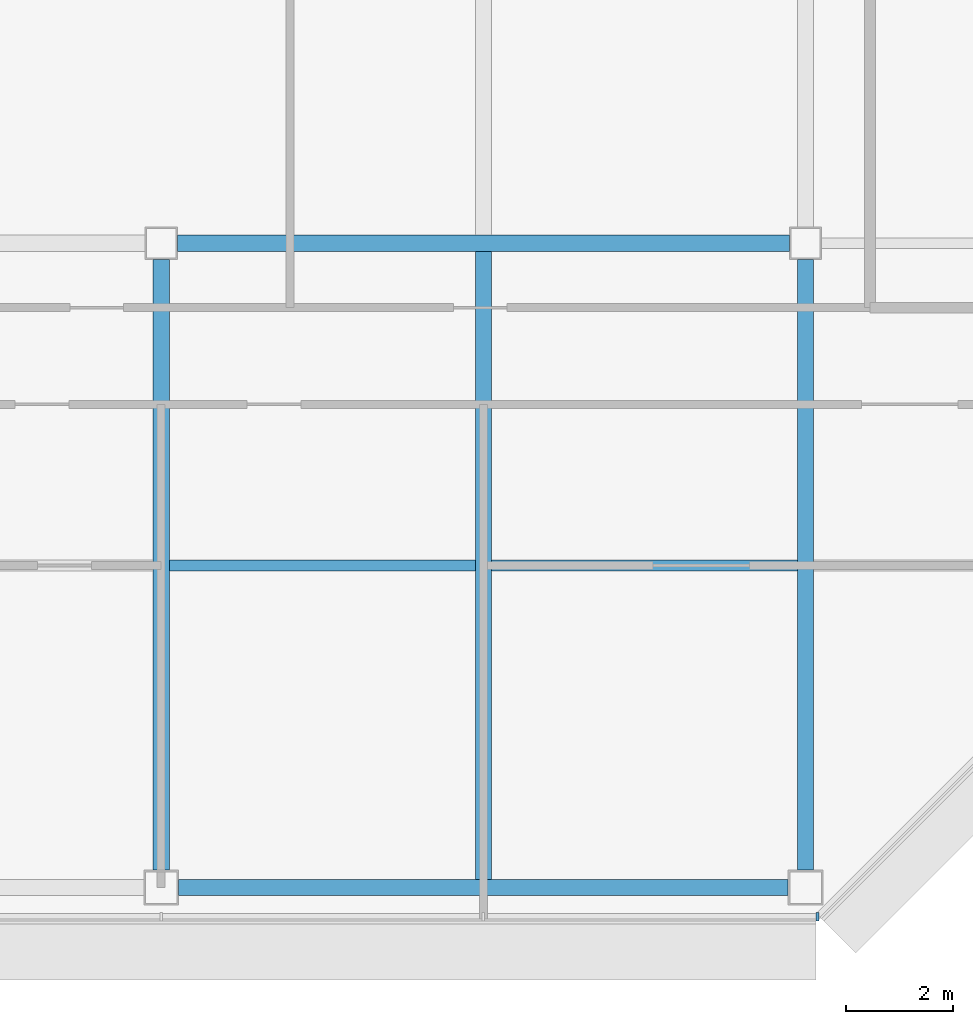
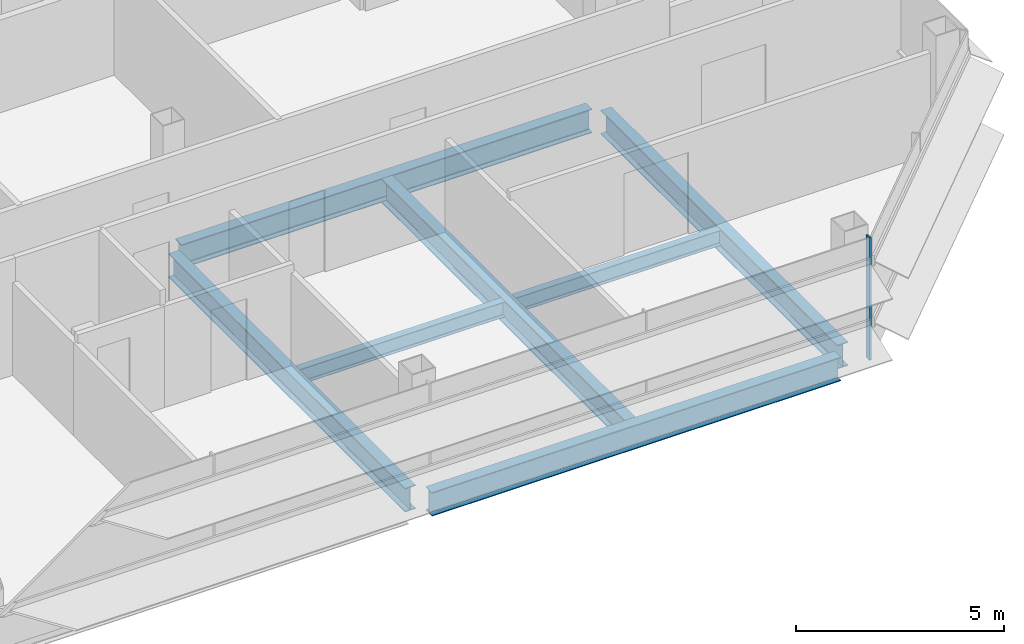
# One storey, part 9 of 27: 7 beams, 1 member, 1 element without a shape of its own.
"""IFC4 building model written with IfcOpenShell, lengths in metres."""

import ifcopenshell
import ifcopenshell.guid

model = None  # the IFC model being written
_history = None  # IfcOwnerHistory: only IFC2X3 demands one
_inside = {}  # id of a spatial element -> (the spatial element, [elements in it])
_under = {}  # id of a project, library or spatial element -> (it, [spatial elements below it])
_declared = {}  # id of a project -> (the project, [libraries it declares])
_typed = {}  # id of a type object -> (the type object, [elements of that type])
_made_of = {}  # id of a material, layer set ... -> (it, [elements and type objects made of it])


def new_model(schema):
    """Start an empty IFC model of exactly this schema.

    Asked for "IFC4X3", IfcOpenShell would pick the latest addendum, in which some entities
    have other attributes; the version numbers below select the first issue.
    IFC2X3 requires an IfcOwnerHistory on every rooted entity: one is made here for all.
    """
    global model, _history
    if schema == "IFC4X3":
        model = ifcopenshell.file(schema_version=(4, 3, 0, 0))
    else:
        model = ifcopenshell.file(schema=schema)
    _inside.clear()
    _under.clear()
    _declared.clear()
    _typed.clear()
    _made_of.clear()
    _history = None
    if model.schema == "IFC2X3":
        org = make("IfcOrganization", Name="unknown")
        user = make(
            "IfcPersonAndOrganization",
            ThePerson=make("IfcPerson", FamilyName="unknown"),
            TheOrganization=org,
        )
        app = make(
            "IfcApplication",
            ApplicationDeveloper=org,
            Version="unknown",
            ApplicationFullName="unknown",
            ApplicationIdentifier="unknown",
        )
        _history = make(
            "IfcOwnerHistory",
            OwningUser=user,
            OwningApplication=app,
            ChangeAction="ADDED",
            CreationDate=0,
        )
    return model


def make(cls, **values):
    """One entity of the class cls with the attributes given. An attribute that is None is left unset."""
    return model.create_entity(
        cls, **{name: value for name, value in values.items() if value is not None}
    )


def rooted(cls, **values):
    """An entity with a GlobalId (a new one), such as an element, a storey or a relation."""
    return make(cls, GlobalId=ifcopenshell.guid.new(), OwnerHistory=_history, **values)


def si_unit(unit_type, name, prefix=None):
    """IfcSIUnit, for example si_unit("LENGTHUNIT", "METRE", prefix="MILLI")."""
    return make("IfcSIUnit", UnitType=unit_type, Prefix=prefix, Name=name)


def assignment(units):
    """IfcUnitAssignment: the units of a project."""
    return None if units is None else make("IfcUnitAssignment", Units=units)


def point(xyz):
    """IfcCartesianPoint."""
    return None if xyz is None else make("IfcCartesianPoint", Coordinates=xyz)


def direction(xyz):
    """IfcDirection."""
    return None if xyz is None else make("IfcDirection", DirectionRatios=xyz)


def frame(location, z_axis=None, x_axis=None):
    """IfcAxis2Placement3D, a coordinate frame: its origin and axes. An axis left out is left unset."""
    return make(
        "IfcAxis2Placement3D",
        Location=point(location),
        Axis=direction(z_axis),
        RefDirection=direction(x_axis),
    )


def frame_2d(location, x_axis=None):
    """IfcAxis2Placement2D, a coordinate frame in the plane: its origin and x axis."""
    return make(
        "IfcAxis2Placement2D", Location=point(location), RefDirection=direction(x_axis)
    )


def origin():
    """The frame at (0, 0, 0) with its axes left unset."""
    return frame((0.0, 0.0, 0.0))


def origin_2d():
    """The frame at (0, 0) in the plane with its x axis left unset."""
    return frame_2d((0.0, 0.0))


def place(relative_to, where):
    """IfcLocalPlacement: puts the frame where relative to a parent placement (None: the world)."""
    return make(
        "IfcLocalPlacement", PlacementRelTo=relative_to, RelativePlacement=where
    )


def context(
    kind, dimensions, precision=None, world=None, true_north=None, identifier=None
):
    """IfcGeometricRepresentationContext, for example the 3D "Model" context."""
    return make(
        "IfcGeometricRepresentationContext",
        ContextIdentifier=identifier,
        ContextType=kind,
        CoordinateSpaceDimension=dimensions,
        Precision=precision,
        WorldCoordinateSystem=world,
        TrueNorth=true_north,
    )


def subcontext(parent, identifier, kind, view, scale=None):
    """IfcGeometricRepresentationSubContext, for example "Body" below "Model"."""
    return make(
        "IfcGeometricRepresentationSubContext",
        ContextIdentifier=identifier,
        ContextType=kind,
        ParentContext=parent,
        TargetScale=scale,
        TargetView=view,
    )


def project(units=None, contexts=None):
    """IfcProject with its units and contexts."""
    return rooted(
        "IfcProject",
        Name="project",
        RepresentationContexts=contexts,
        UnitsInContext=assignment(units),
    )


def spatial(cls, under=None, at=None, **own):
    """A site, building, storey or space (cls), placed at a placement, below another one or the project."""
    s = rooted(cls, ObjectPlacement=at, **own)
    if under is not None:
        _under.setdefault(under.id(), (under, []))[1].append(s)
    return s


def profile(cls, at=None, kind="AREA", **sizes):
    """A parametric profile (cls). Its sizes go by their IFC names, for example OverallWidth=200.0."""
    return make(cls, ProfileType=kind, Position=at, **sizes)


def rectangle(**sizes):
    """IfcRectangleProfileDef."""
    return profile("IfcRectangleProfileDef", **sizes)


def i_section(**sizes):
    """IfcIShapeProfileDef."""
    return profile("IfcIShapeProfileDef", **sizes)


def extrude(swept, where, along, depth):
    """IfcExtrudedAreaSolid: the profile swept, set in the frame where, extruded along a direction by depth."""
    return make(
        "IfcExtrudedAreaSolid",
        SweptArea=swept,
        Position=where,
        ExtrudedDirection=direction(along),
        Depth=depth,
    )


def shape(context_of_items, identifier, shape_type, items):
    """IfcShapeRepresentation: the items that make up one representation, for example the "Body"."""
    return make(
        "IfcShapeRepresentation",
        ContextOfItems=context_of_items,
        RepresentationIdentifier=identifier,
        RepresentationType=shape_type,
        Items=items,
    )


def material(Name=None, Category=None):
    """IfcMaterial."""
    return make("IfcMaterial", Name=Name, Category=Category)


def material_profile(
    of_material, cross_section, Name=None, Category=None, Priority=None
):
    """IfcMaterialProfile: a cross section and its material."""
    return make(
        "IfcMaterialProfile",
        Name=Name,
        Material=of_material,
        Profile=cross_section,
        Priority=Priority,
        Category=Category,
    )


def profile_set(profiles, Name=None, composite=None):
    """IfcMaterialProfileSet."""
    return make(
        "IfcMaterialProfileSet",
        Name=Name,
        MaterialProfiles=profiles,
        CompositeProfile=composite,
    )


def made_of(thing, what):
    """Note that an element or type object is made of a material, layer set ...; save() writes the relation."""
    if what is not None:
        _made_of.setdefault(what.id(), (what, []))[1].append(thing)
    return thing


def type_object(cls, material=None, **own):
    """A type object (cls), such as IfcWallType, which elements share."""
    return made_of(rooted(cls, **own), material)


def element(
    cls,
    number,
    at=None,
    inside=None,
    cuts=None,
    type_object=None,
    material=None,
    context=None,
    identifier="Body",
    shape_type=None,
    held_by="IfcProductDefinitionShape",
    body=None,
    shapes=None,
    **own,
):
    """One element of the class cls, such as IfcWall. Its Tag is "e" and its number.

    at: its placement. inside: the storey or other place that contains it. cuts: it is an
    opening in that element (IfcRelVoidsElement). A single representation is given by context,
    identifier, shape_type and body (its items); several are given by shapes. held_by: the class
    of the entity that holds the representations. save() writes the other relations.
    """
    e = rooted(cls, Tag="e%d" % number, ObjectPlacement=at, **own)
    if body is not None:
        shapes = [shape(context, identifier, shape_type, body)]
    if shapes is not None:
        e.Representation = make(held_by, Representations=shapes)
    if inside is not None:
        _inside.setdefault(inside.id(), (inside, []))[1].append(e)
    if cuts is not None:
        rooted(
            "IfcRelVoidsElement", RelatingBuildingElement=cuts, RelatedOpeningElement=e
        )
    if type_object is not None:
        _typed.setdefault(type_object.id(), (type_object, []))[1].append(e)
    return made_of(e, material)


def aggregate(whole, parts):
    """IfcRelAggregates: a whole, such as a stair, and the parts it consists of."""
    return rooted("IfcRelAggregates", RelatingObject=whole, RelatedObjects=parts)


def save(model, path):
    """Write the relations noted so far, then the file.

    IfcRelAggregates (storeys below a building ...), IfcRelContainedInSpatialStructure (elements
    in a storey), IfcRelDefinesByType, IfcRelAssociatesMaterial and IfcRelDeclares: one each for
    every whole, place, type object, material and project.
    """
    for whole, parts in _under.values():
        aggregate(whole, parts)
    for where, things in _inside.values():
        rooted(
            "IfcRelContainedInSpatialStructure",
            RelatedElements=things,
            RelatingStructure=where,
        )
    for kind, things in _typed.values():
        rooted("IfcRelDefinesByType", RelatedObjects=things, RelatingType=kind)
    for what, things in _made_of.values():
        rooted("IfcRelAssociatesMaterial", RelatedObjects=things, RelatingMaterial=what)
    for by, libraries in _declared.values():
        rooted("IfcRelDeclares", RelatingContext=by, RelatedDefinitions=libraries)
    model.write(path)


model = new_model("IFC4")

# Units and contexts
model_context = context("Model", 3, precision=1e-05, world=origin(), true_north=direction((0.0, 1.0)))
body_context = subcontext(model_context, "Body", "Model", "MODEL_VIEW")
ifc_project = project(units=[si_unit("LENGTHUNIT", "METRE"), si_unit("AREAUNIT", "SQUARE_METRE"), si_unit("VOLUMEUNIT", "CUBIC_METRE"), si_unit("PLANEANGLEUNIT", "RADIAN"), si_unit("MASSUNIT", "GRAM", prefix="KILO")], contexts=[model_context])

# Site, building, storey
site_placement = place(None, origin())
site = spatial("IfcSite", under=ifc_project, at=site_placement, CompositionType="ELEMENT")
building_placement = place(site_placement, origin())
building = spatial("IfcBuilding", under=site, at=building_placement, Name="Sorahane Residences", CompositionType="ELEMENT")
storey_placement = place(building_placement, frame((0.0, 0.0, 226.199951171875)))
storey = spatial("IfcBuildingStorey", under=building, at=storey_placement, Name="L53", CompositionType="ELEMENT", Elevation=226.199951171875)

# Curtain wall, member
ifc_material_1 = material(Name="Dark low-e glass and black anodised aluminium", Category="aluminium")
curtain_wall_type = type_object("IfcCurtainWallType", Name="Curtain wall CW-1 Typical unitised wall", PredefinedType="NOTDEFINED", material=ifc_material_1)
curtain_wall_placement = place(storey_placement, origin())
curtain_wall = element("IfcCurtainWall", 1, at=curtain_wall_placement, inside=storey, type_object=curtain_wall_type, Name="CW-1 curtain wall L53 S1", PredefinedType="NOTDEFINED")
ifc_material_2 = material(Name="Black anodised aluminium", Category="aluminium")
ifc_material_profile_1 = material_profile(ifc_material_2, rectangle(XDim=0.159912109375, YDim=0.050048828125, at=origin_2d()), Name="Curtain wall mullion CW-1 black anodised aluminium 50x160")
ifc_profile_set_1 = profile_set([ifc_material_profile_1], Name="Black anodised aluminium")
member_type = type_object("IfcMemberType", Name="Curtain wall mullion CW-1 black anodised aluminium 50x160", PredefinedType="MULLION", material=ifc_profile_set_1)
member_placement = place(storey_placement, frame((48.2236328125, -0.5400390625, -0.179931640625), z_axis=(0.0, 0.0, 1.0), x_axis=(0.0, -1.0, 0.0)))
member = element("IfcMember", 2, at=member_placement, type_object=member_type, Name="CW-1 mullion L53 S1.10", PredefinedType="MULLION", context=body_context, shape_type="SweptSolid", body=[
    extrude(rectangle(XDim=0.159912109375, YDim=0.050048828125, at=origin_2d()), origin(), (0.0, 0.0, 1.0), 3.60009765625),
])
aggregate(curtain_wall, [member])

# Beams
ifc_material_3 = material(Name="Steel Q355B", Category="steel")
ifc_material_profile_2 = material_profile(ifc_material_3, i_section(OverallWidth=0.199951171875, OverallDepth=0.449951171875, WebThickness=0.009033203125, FlangeThickness=0.013916015625, FilletRadius=0.02001953125, at=origin_2d()), Name="HN 450x200x9x14")
ifc_profile_set_2 = profile_set([ifc_material_profile_2], Name="Steel Q355B")
beam_type_1 = type_object("IfcBeamType", Name="Steel floor beam HN 450x200x9x14 Q355B", PredefinedType="BEAM", material=ifc_profile_set_2)
for number, where, z_axis, x_axis, name in (
    (3, (36.14990234375, 6.0, -0.405029296875), (1.0, 0.0, 0.0), (0.0, 1.0, 0.0), "Beam L53 075"),
    (4, (42.14990234375, 6.0, -0.405029296875), (1.0, 0.0, 0.0), (0.0, 1.0, 0.0), "Beam L53 076"),
):
    element("IfcBeam", number, at=place(storey_placement, frame(where, z_axis=z_axis, x_axis=x_axis)), inside=storey, type_object=beam_type_1, Name=name, PredefinedType="BEAM", context=body_context, shape_type="SweptSolid", body=[
        extrude(i_section(OverallWidth=0.199951171875, OverallDepth=0.449951171875, WebThickness=0.009033203125, FlangeThickness=0.013916015625, FilletRadius=0.02001953125, at=origin_2d()), origin(), (0.0, 0.0, 1.0), 5.7001953125),
    ])
ifc_material_4 = material(Name="Steel Q355B", Category="steel")
ifc_material_profile_3 = material_profile(ifc_material_4, i_section(OverallWidth=0.300048828125, OverallDepth=0.699951171875, WebThickness=0.012939453125, FlangeThickness=0.02392578125, FilletRadius=0.028076171875, at=origin_2d()), Name="HN 700x300x13x24")
ifc_profile_set_3 = profile_set([ifc_material_profile_3], Name="Steel Q355B")
beam_type_2 = type_object("IfcBeamType", Name="Steel floor beam HN 700x300x13x24 Q355B", PredefinedType="BEAM", material=ifc_profile_set_3)
beam_1_placement = place(storey_placement, frame((36.324951171875, 0.0, -0.530029296875), z_axis=(1.0, 0.0, 0.0), x_axis=(0.0, 1.0, 0.0)))
element("IfcBeam", 5, at=beam_1_placement, inside=storey, type_object=beam_type_2, Name="Beam L53 004", PredefinedType="BEAM", context=body_context, shape_type="SweptSolid", body=[
    extrude(i_section(OverallWidth=0.300048828125, OverallDepth=0.699951171875, WebThickness=0.012939453125, FlangeThickness=0.02392578125, FilletRadius=0.028076171875, at=origin_2d()), origin(), (0.0, 0.0, 1.0), 11.35009765625),
])
beam_2_placement = place(storey_placement, frame((36.300048828125, 12.0, -0.530029296875), z_axis=(1.0, 0.0, 0.0), x_axis=(0.0, 1.0, 0.0)))
element("IfcBeam", 6, at=beam_2_placement, inside=storey, type_object=beam_type_2, Name="Beam L53 009", PredefinedType="BEAM", context=body_context, shape_type="SweptSolid", body=[
    extrude(i_section(OverallWidth=0.300048828125, OverallDepth=0.699951171875, WebThickness=0.012939453125, FlangeThickness=0.02392578125, FilletRadius=0.028076171875, at=origin_2d()), origin(), (0.0, 0.0, 1.0), 11.39990234375),
])
beam_3_placement = place(storey_placement, frame((36.0, 0.324951171875, -0.530029296875), z_axis=(0.0, 1.0, 0.0), x_axis=(-1.0, 0.0, 0.0)))
element("IfcBeam", 7, at=beam_3_placement, inside=storey, type_object=beam_type_2, Name="Beam L53 050", PredefinedType="BEAM", context=body_context, shape_type="SweptSolid", body=[
    extrude(i_section(OverallWidth=0.300048828125, OverallDepth=0.699951171875, WebThickness=0.012939453125, FlangeThickness=0.02392578125, FilletRadius=0.028076171875, at=origin_2d()), origin(), (0.0, 0.0, 1.0), 11.375),
])
beam_4_placement = place(storey_placement, frame((42.0, 0.14990234375, -0.530029296875), z_axis=(0.0, 1.0, 0.0), x_axis=(-1.0, 0.0, 0.0)))
element("IfcBeam", 8, at=beam_4_placement, inside=storey, type_object=beam_type_2, Name="Beam L53 052", PredefinedType="BEAM", context=body_context, shape_type="SweptSolid", body=[
    extrude(i_section(OverallWidth=0.300048828125, OverallDepth=0.699951171875, WebThickness=0.012939453125, FlangeThickness=0.02392578125, FilletRadius=0.028076171875, at=origin_2d()), origin(), (0.0, 0.0, 1.0), 11.7001953125),
])
beam_5_placement = place(storey_placement, frame((48.0, 0.324951171875, -0.530029296875), z_axis=(0.0, 1.0, 0.0), x_axis=(-1.0, 0.0, 0.0)))
element("IfcBeam", 9, at=beam_5_placement, inside=storey, type_object=beam_type_2, Name="Beam L53 058", PredefinedType="BEAM", context=body_context, shape_type="SweptSolid", body=[
    extrude(i_section(OverallWidth=0.300048828125, OverallDepth=0.699951171875, WebThickness=0.012939453125, FlangeThickness=0.02392578125, FilletRadius=0.028076171875, at=origin_2d()), origin(), (0.0, 0.0, 1.0), 11.375),
])

save(model, "model.ifc")
